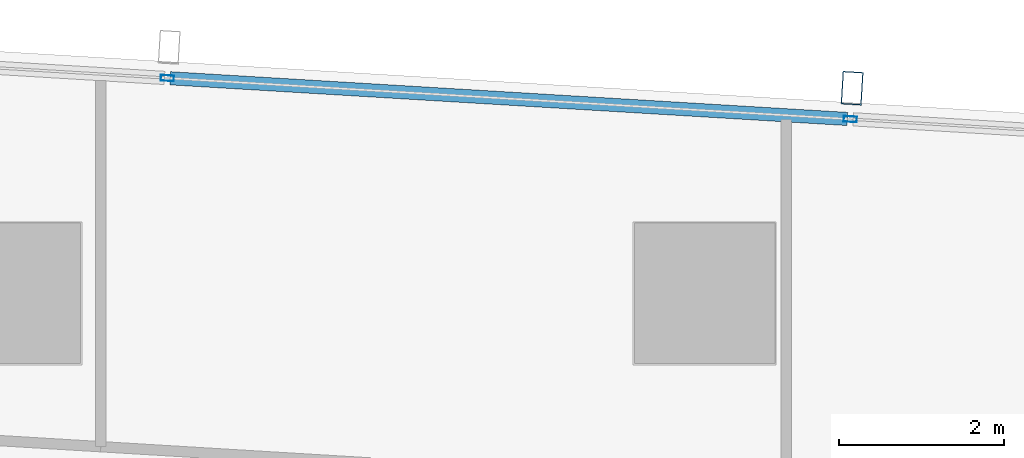
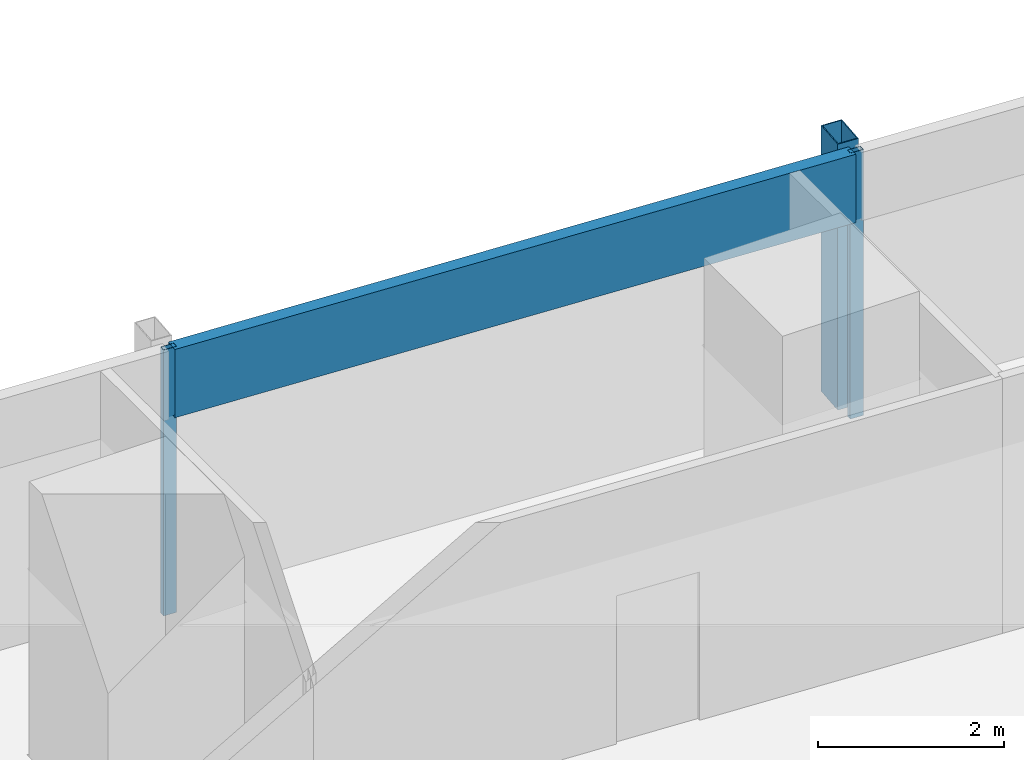
# One storey, part 19 of 40: 4 members, 1 element without a shape of its own.
"""IFC4 building model written with IfcOpenShell, lengths in metres."""

from ifc_helpers import new_model, si_unit, direction, frame, origin, origin_2d, place, context, subcontext, project, spatial, hollow_rectangle, extrude, material, material_profile, profile_set, type_object, element, aggregate, save


model = new_model("IFC4")

# Units and contexts
model_context = context("Model", 3, precision=1e-05, world=origin(), true_north=direction((0.0, 1.0)))
body_context = subcontext(model_context, "Body", "Model", "MODEL_VIEW")
ifc_project = project(units=[si_unit("LENGTHUNIT", "METRE"), si_unit("AREAUNIT", "SQUARE_METRE"), si_unit("VOLUMEUNIT", "CUBIC_METRE"), si_unit("PLANEANGLEUNIT", "RADIAN"), si_unit("MASSUNIT", "GRAM", prefix="KILO")], contexts=[model_context])

# Site, building, storey
site_placement = place(None, origin())
site = spatial("IfcSite", under=ifc_project, at=site_placement, CompositionType="ELEMENT")
building_placement = place(site_placement, origin())
building = spatial("IfcBuilding", under=site, at=building_placement, Name="Rekha Terrace Tower", CompositionType="ELEMENT")
storey_placement = place(building_placement, frame((0.0, 0.0, 102.800048828125)))
storey = spatial("IfcBuildingStorey", under=building, at=storey_placement, Name="L25", CompositionType="ELEMENT", Elevation=102.800048828125)

# Curtain wall, members
ifc_material_1 = material(Name="Aluminium framing", Category="aluminium")
curtain_wall_type = type_object("IfcCurtainWallType", Name="CW3 north unitised glazing", PredefinedType="USERDEFINED", material=ifc_material_1)
curtain_wall_placement = place(storey_placement, origin())
curtain_wall = element("IfcCurtainWall", 1, at=curtain_wall_placement, inside=storey, type_object=curtain_wall_type, Name="CW3 unitised curtain wall", ObjectType="UNITISED CURTAIN WALL", PredefinedType="USERDEFINED")
ifc_material_2 = material(Name="Steel S355 with fluorocarbon finish", Category="steel")
ifc_material_profile_1 = material_profile(ifc_material_2, hollow_rectangle(XDim=0.25, YDim=0.39990234375, WallThickness=0.012451171875, at=origin_2d()), Name="RHS400x250x12.5")
ifc_profile_set_1 = profile_set([ifc_material_profile_1], Name="Steel S355 with fluorocarbon finish")
member_type_1 = type_object("IfcMemberType", Name="BL1 facade blade RHS 400 x 250", PredefinedType="USERDEFINED", material=ifc_profile_set_1)
member_1_placement = place(storey_placement, frame((60.583740234375, 61.281005859375, 0.0), z_axis=(0.0, 0.0, 1.0), x_axis=(-0.998199123409, 0.059987582268, 0.0)))
member_1 = element("IfcMember", 2, at=member_1_placement, type_object=member_type_1, Name="Facade blade", ObjectType="FACADE BLADE", PredefinedType="USERDEFINED", context=body_context, shape_type="SweptSolid", body=[
    extrude(hollow_rectangle(XDim=0.25, YDim=0.39990234375, WallThickness=0.012451171875, at=origin_2d()), origin(), (0.0, 0.0, 1.0), 3.5),
])
ifc_material_3 = material(Name="Aluminium mullion section", Category="aluminium")
ifc_material_profile_2 = material_profile(ifc_material_3, hollow_rectangle(XDim=0.070068359375, YDim=0.159912109375, WallThickness=0.00390625, at=origin_2d()), Name="AL RHS 70x160")
ifc_profile_set_2 = profile_set([ifc_material_profile_2], Name="Aluminium mullion section")
member_type_2 = type_object("IfcMemberType", Name="CW3 mullion RHS 70 x 160", PredefinedType="MULLION", material=ifc_profile_set_2)
member_2_placement = place(storey_placement, frame((60.561279296875, 60.90673828125, 0.0), z_axis=(0.0, 0.0, 1.0), x_axis=(-0.059987926837, -0.998199102701, 0.0)))
member_2 = element("IfcMember", 3, at=member_2_placement, type_object=member_type_2, Name="CW3 mullion 2", PredefinedType="MULLION", context=body_context, shape_type="SweptSolid", body=[
    extrude(hollow_rectangle(XDim=0.070068359375, YDim=0.159912109375, WallThickness=0.00390625, at=origin_2d()), origin(), (0.0, 0.0, 1.0), 3.5),
])
member_3_placement = place(storey_placement, frame((52.299560546875, 61.4033203125, 0.0), z_axis=(0.0, 0.0, 1.0), x_axis=(-0.059987926837, -0.998199102701, 0.0)))
member_3 = element("IfcMember", 4, at=member_3_placement, type_object=member_type_2, Name="CW3 mullion 3", PredefinedType="MULLION", context=body_context, shape_type="SweptSolid", body=[
    extrude(hollow_rectangle(XDim=0.070068359375, YDim=0.159912109375, WallThickness=0.00390625, at=origin_2d()), origin(), (0.0, 0.0, 1.0), 3.5),
])
ifc_material_4 = material(Name="Insulated aluminium spandrel box", Category="aluminium")
ifc_material_profile_3 = material_profile(ifc_material_4, hollow_rectangle(XDim=0.159912109375, YDim=0.89990234375, WallThickness=0.0029296875, at=origin_2d()), Name="AL SPANDREL BOX 160x900")
ifc_profile_set_3 = profile_set([ifc_material_profile_3], Name="Insulated aluminium spandrel box")
member_type_3 = type_object("IfcMemberType", Name="CW3 spandrel transom 160 x 900", PredefinedType="USERDEFINED", material=ifc_profile_set_3)
member_4_placement = place(storey_placement, frame((60.5263671875, 60.908935546875, 3.050048828125), z_axis=(-0.998199826332, 0.059975884418, 0.0), x_axis=(-0.059975884418, -0.998199826332, 0.0)))
member_4 = element("IfcMember", 5, at=member_4_placement, type_object=member_type_3, Name="CW3 spandrel transom 2", ObjectType="TRANSOM", PredefinedType="USERDEFINED", context=body_context, shape_type="SweptSolid", body=[
    extrude(hollow_rectangle(XDim=0.159912109375, YDim=0.89990234375, WallThickness=0.0029296875, at=origin_2d()), origin(), (0.0, 0.0, 1.0), 8.20654296875),
])
aggregate(curtain_wall, [member_2, member_3, member_4, member_1])

save(model, "model.ifc")
